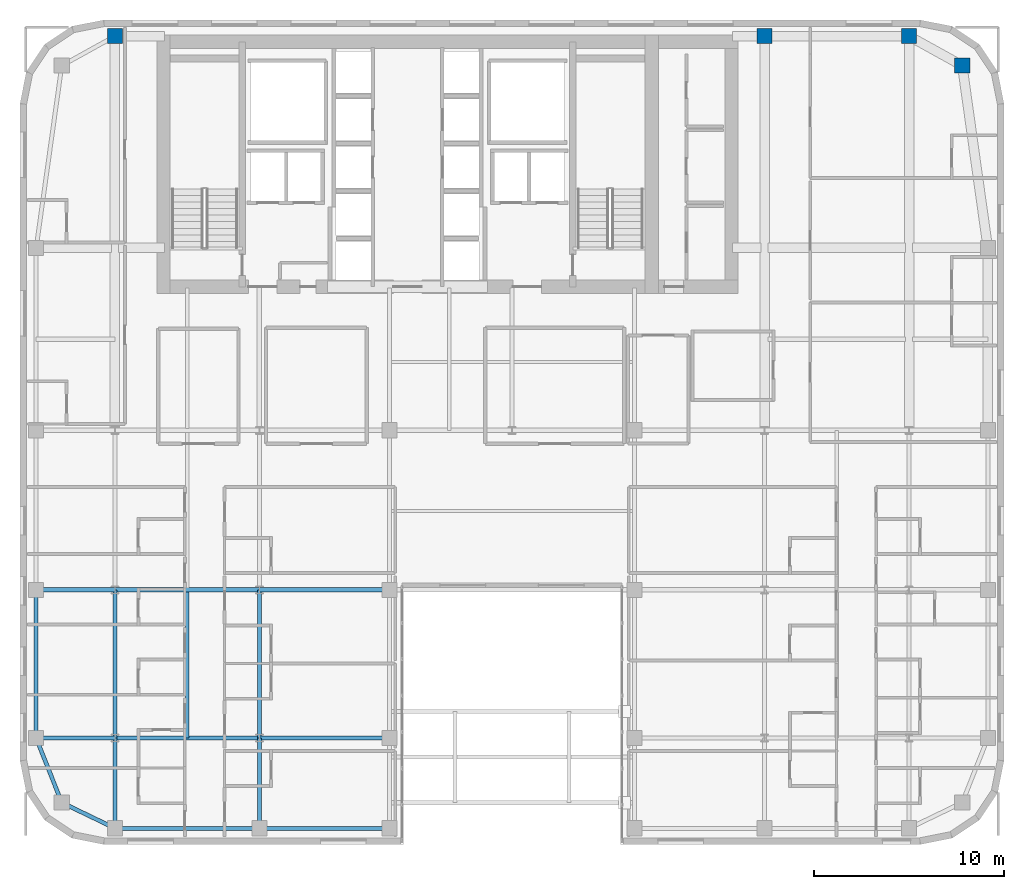
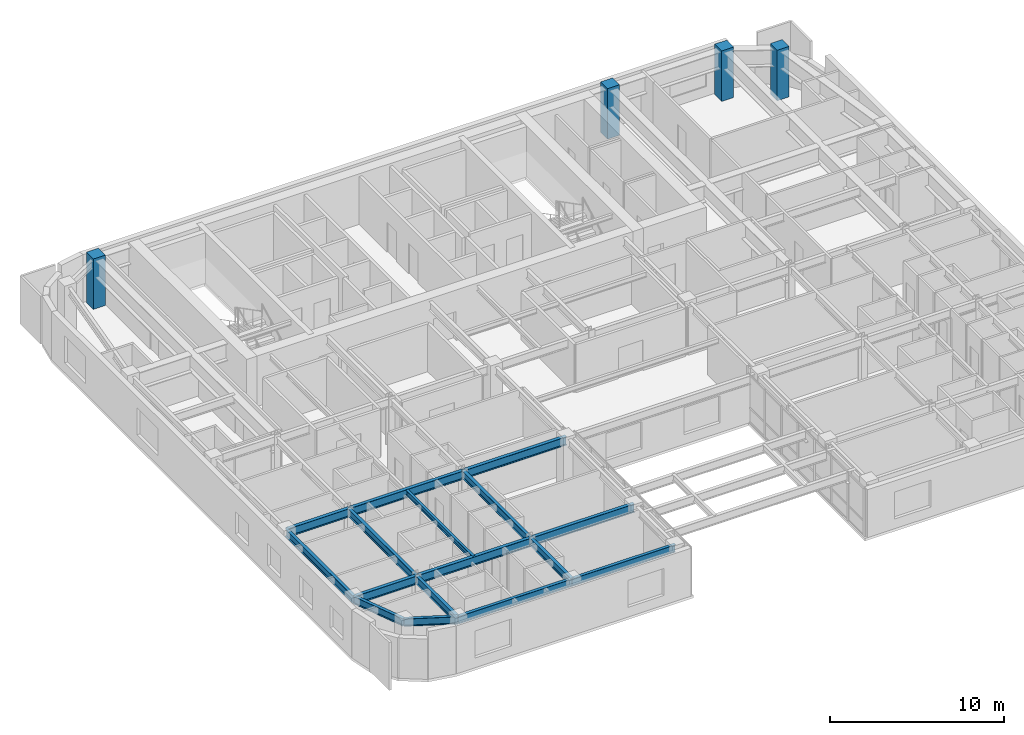
# One storey, part 2 of 15: 16 beams, 4 columns.
"""IFC4 building model written with IfcOpenShell, lengths in metres."""

from ifc_helpers import new_model, si_unit, direction, frame, origin, origin_2d, place, context, subcontext, project, spatial, rectangle, i_section, extrude, source, transform, mapped, material, material_profile, profile_set, type_object, type_shapes, element, save


model = new_model("IFC4")

# Units and contexts
model_context = context("Model", 3, precision=1e-05, world=origin(), true_north=direction((0.0, 1.0)))
body_context = subcontext(model_context, "Body", "Model", "MODEL_VIEW")
ifc_project = project(units=[si_unit("LENGTHUNIT", "METRE"), si_unit("AREAUNIT", "SQUARE_METRE"), si_unit("VOLUMEUNIT", "CUBIC_METRE"), si_unit("PLANEANGLEUNIT", "RADIAN"), si_unit("MASSUNIT", "GRAM", prefix="KILO")], contexts=[model_context])

# Site, building, storey
site_placement = place(None, origin())
site = spatial("IfcSite", under=ifc_project, at=site_placement, CompositionType="ELEMENT")
building_placement = place(site_placement, origin())
building = spatial("IfcBuilding", under=site, at=building_placement, Name="Tolvann Quenvar Hotel", CompositionType="ELEMENT")
storey_placement = place(building_placement, frame((0.0, 0.0, 164.800048828125)))
storey = spatial("IfcBuildingStorey", under=building, at=storey_placement, Name="L43", CompositionType="ELEMENT", Elevation=164.800048828125)

# Columns
ifc_material_1 = material(Name="Concrete N50 (50 MPa)", Category="concrete")
ifc_material_profile_1 = material_profile(ifc_material_1, rectangle(XDim=0.800048828125, YDim=0.800048828125, at=origin_2d()), Name="RC800x800")
ifc_profile_set_1 = profile_set([ifc_material_profile_1], Name="Concrete N50 (50 MPa)")
column_type = type_object("IfcColumnType", Name="COL_RC800", PredefinedType="COLUMN", material=ifc_profile_set_1)
shared_shape_1 = source(origin(), body_context, "Body", "SweptSolid", [
    extrude(rectangle(XDim=0.800048828125, YDim=0.800048828125, at=origin_2d()), origin(), (0.0, 0.0, 1.0), 3.550048828125),
])
type_shapes(column_type, [shared_shape_1])
for number, where, z_axis, x_axis, name in (
    (1, (7.60009765625, 45.14990234375, 0.0), (0.0, 0.0, 1.0), (1.0, 0.0, 0.0), "Column CN (L43)"),
    (2, (41.800048828125, 45.14990234375, 0.0), (0.0, 0.0, 1.0), (1.0, 0.0, 0.0), "Column HN (L43)"),
    (3, (49.39990234375, 45.14990234375, 0.0), (0.0, 0.0, 1.0), (1.0, 0.0, 0.0), "Column IN (L43)"),
    (4, (52.199951171875, 43.60009765625, 0.0), (0.0, 0.0, 1.0), (1.0, 0.0, 0.0), "Column JN (L43)"),
):
    element("IfcColumn", number, at=place(storey_placement, frame(where, z_axis=z_axis, x_axis=x_axis)), inside=storey, type_object=column_type, Name=name, PredefinedType="COLUMN", context=body_context, shape_type="MappedRepresentation", body=[
        mapped(shared_shape_1, transform((0.0, 0.0, 0.0), x_axis=(1.0, 0.0, 0.0), y_axis=(0.0, 1.0, 0.0), z_axis=(0.0, 0.0, 1.0), scale=1.0)),
    ])

# Beams
ifc_material_2 = material(Name="Steel Grade 350", Category="steel")
ifc_material_profile_2 = material_profile(ifc_material_2, i_section(OverallWidth=0.208984375, OverallDepth=0.528076171875, WebThickness=0.009521484375, FlangeThickness=0.01318359375, FilletRadius=0.013916015625, at=origin_2d()), Name="530UB82")
ifc_profile_set_2 = profile_set([ifc_material_profile_2], Name="Steel Grade 350")
beam_type_1 = type_object("IfcBeamType", Name="BM_SPAND_530UB82", PredefinedType="SPANDREL", material=ifc_profile_set_2)
shared_shape_2 = source(origin(), body_context, "Body", "SweptSolid", [
    extrude(i_section(OverallWidth=0.208984375, OverallDepth=0.528076171875, WebThickness=0.009521484375, FlangeThickness=0.01318359375, FilletRadius=0.013916015625, at=origin_2d()), origin(), (0.0, 0.0, 1.0), 7.599853515625),
])
beam_1_placement = place(storey_placement, frame((7.60009765625, 3.449951171875, 3.10595703125), z_axis=(1.0, 0.0, 0.0), x_axis=(0.0, 1.0, 0.0)))
element("IfcBeam", 5, at=beam_1_placement, inside=storey, type_object=beam_type_1, Name="BM-L43-EW-2-C2-D2", PredefinedType="SPANDREL", context=body_context, shape_type="MappedRepresentation", body=[
    mapped(shared_shape_2, transform((0.0, 0.0, 0.0), x_axis=(1.0, 0.0, 0.0), y_axis=(0.0, 1.0, 0.0), z_axis=(0.0, 0.0, 1.0), scale=1.0)),
])
shared_shape_3 = source(origin(), body_context, "Body", "SweptSolid", [
    extrude(i_section(OverallWidth=0.208984375, OverallDepth=0.528076171875, WebThickness=0.009521484375, FlangeThickness=0.01318359375, FilletRadius=0.013916015625, at=origin_2d()), origin(), (0.0, 0.0, 1.0), 6.85009765625),
])
beam_2_placement = place(storey_placement, frame((15.199951171875, 3.449951171875, 3.10595703125), z_axis=(1.0, 0.0, 0.0), x_axis=(0.0, 1.0, 0.0)))
element("IfcBeam", 6, at=beam_2_placement, inside=storey, type_object=beam_type_1, Name="BM-L43-EW-2-D2-E2", PredefinedType="SPANDREL", context=body_context, shape_type="MappedRepresentation", body=[
    mapped(shared_shape_3, transform((0.0, 0.0, 0.0), x_axis=(1.0, 0.0, 0.0), y_axis=(0.0, 1.0, 0.0), z_axis=(0.0, 0.0, 1.0), scale=1.0)),
])
shared_shape_4 = source(origin(), body_context, "Body", "SweptSolid", [
    extrude(i_section(OverallWidth=0.208984375, OverallDepth=0.528076171875, WebThickness=0.009521484375, FlangeThickness=0.01318359375, FilletRadius=0.013916015625, at=origin_2d()), origin(), (0.0, 0.0, 1.0), 7.800048828125),
])
beam_3_placement = place(storey_placement, frame((3.449951171875, 8.199951171875, 3.10595703125), z_axis=(0.0, 1.0, 0.0), x_axis=(-1.0, 0.0, 0.0)))
element("IfcBeam", 7, at=beam_3_placement, inside=storey, type_object=beam_type_1, Name="BM-L43-NS-B3-B4", PredefinedType="SPANDREL", context=body_context, shape_type="MappedRepresentation", body=[
    mapped(shared_shape_4, transform((0.0, 0.0, 0.0), x_axis=(1.0, 0.0, 0.0), y_axis=(0.0, 1.0, 0.0), z_axis=(0.0, 0.0, 1.0), scale=1.0)),
])
ifc_material_profile_3 = material_profile(ifc_material_2, i_section(OverallWidth=0.208984375, OverallDepth=0.532958984375, WebThickness=0.01025390625, FlangeThickness=0.015625, FilletRadius=0.013916015625, at=origin_2d()), Name="530UB92")
ifc_profile_set_3 = profile_set([ifc_material_profile_3], Name="Steel Grade 350")
beam_type_2 = type_object("IfcBeamType", Name="BM_GIRD_530UB92", PredefinedType="BEAM", material=ifc_profile_set_3)
shared_shape_5 = source(origin(), body_context, "Body", "SweptSolid", [
    extrude(i_section(OverallWidth=0.208984375, OverallDepth=0.532958984375, WebThickness=0.01025390625, FlangeThickness=0.015625, FilletRadius=0.013916015625, at=origin_2d()), origin(), (0.0, 0.0, 1.0), 7.800048828125),
])
for number, where, z_axis, x_axis, name in (
    (8, (7.60009765625, 8.199951171875, 3.103515625), (0.0, 1.0, 0.0), (-1.0, 0.0, 0.0), "BM-L43-NS-C3-C4"),
    (9, (15.199951171875, 8.199951171875, 3.103515625), (0.0, 1.0, 0.0), (-1.0, 0.0, 0.0), "BM-L43-NS-D3-D4"),
):
    element("IfcBeam", number, at=place(storey_placement, frame(where, z_axis=z_axis, x_axis=x_axis)), inside=storey, type_object=beam_type_2, Name=name, PredefinedType="BEAM", context=body_context, shape_type="MappedRepresentation", body=[
        mapped(shared_shape_5, transform((0.0, 0.0, 0.0), x_axis=(1.0, 0.0, 0.0), y_axis=(0.0, 1.0, 0.0), z_axis=(0.0, 0.0, 1.0), scale=1.0)),
    ])
shared_shape_6 = source(origin(), body_context, "Body", "SweptSolid", [
    extrude(i_section(OverallWidth=0.208984375, OverallDepth=0.528076171875, WebThickness=0.009521484375, FlangeThickness=0.01318359375, FilletRadius=0.013916015625, at=origin_2d()), origin(), (0.0, 0.0, 1.0), 3.108642578125),
])
beam_4_placement = place(storey_placement, frame((4.800048828125, 4.800048828125, 3.10595703125), z_axis=(0.900759354066, -0.434318530646, 0.0), x_axis=(0.434318530646, 0.900759354066, 0.0)))
element("IfcBeam", 10, at=beam_4_placement, inside=storey, type_object=beam_type_1, Name="BM-L43-EW-2-B2-C2", PredefinedType="SPANDREL", context=body_context, shape_type="MappedRepresentation", body=[
    mapped(shared_shape_6, transform((0.0, 0.0, 0.0), x_axis=(1.0, 0.0, 0.0), y_axis=(0.0, 1.0, 0.0), z_axis=(0.0, 0.0, 1.0), scale=1.0)),
])
ifc_material_profile_4 = material_profile(ifc_material_2, i_section(OverallWidth=0.22802734375, OverallDepth=0.60205078125, WebThickness=0.010498046875, FlangeThickness=0.014892578125, FilletRadius=0.013916015625, at=origin_2d()), Name="610UB101")
ifc_profile_set_4 = profile_set([ifc_material_profile_4], Name="Steel Grade 350")
beam_type_3 = type_object("IfcBeamType", Name="BM_GIRD_610UB101", PredefinedType="BEAM", material=ifc_profile_set_4)
shared_shape_7 = source(origin(), body_context, "Body", "SweptSolid", [
    extrude(i_section(OverallWidth=0.22802734375, OverallDepth=0.60205078125, WebThickness=0.010498046875, FlangeThickness=0.014892578125, FilletRadius=0.013916015625, at=origin_2d()), origin(), (0.0, 0.0, 1.0), 4.150146484375),
])
for number, where, z_axis, x_axis, name in (
    (11, (3.449951171875, 8.199951171875, 3.06884765625), (1.0, 0.0, 0.0), (0.0, 1.0, 0.0), "BM-L43-EW-3-B3-C3"),
    (12, (3.449951171875, 16.0, 3.06884765625), (1.0, 0.0, 0.0), (0.0, 1.0, 0.0), "BM-L43-EW-4-B4-C4"),
):
    element("IfcBeam", number, at=place(storey_placement, frame(where, z_axis=z_axis, x_axis=x_axis)), inside=storey, type_object=beam_type_3, Name=name, PredefinedType="BEAM", context=body_context, shape_type="MappedRepresentation", body=[
        mapped(shared_shape_7, transform((0.0, 0.0, 0.0), x_axis=(1.0, 0.0, 0.0), y_axis=(0.0, 1.0, 0.0), z_axis=(0.0, 0.0, 1.0), scale=1.0)),
    ])
shared_shape_8 = source(origin(), body_context, "Body", "SweptSolid", [
    extrude(i_section(OverallWidth=0.22802734375, OverallDepth=0.60205078125, WebThickness=0.010498046875, FlangeThickness=0.014892578125, FilletRadius=0.013916015625, at=origin_2d()), origin(), (0.0, 0.0, 1.0), 7.599853515625),
])
for number, where, z_axis, x_axis, name in (
    (13, (7.60009765625, 8.199951171875, 3.06884765625), (1.0, 0.0, 0.0), (0.0, 1.0, 0.0), "BM-L43-EW-3-C3-D3"),
    (14, (7.60009765625, 16.0, 3.06884765625), (1.0, 0.0, 0.0), (0.0, 1.0, 0.0), "BM-L43-EW-4-C4-D4"),
):
    element("IfcBeam", number, at=place(storey_placement, frame(where, z_axis=z_axis, x_axis=x_axis)), inside=storey, type_object=beam_type_3, Name=name, PredefinedType="BEAM", context=body_context, shape_type="MappedRepresentation", body=[
        mapped(shared_shape_8, transform((0.0, 0.0, 0.0), x_axis=(1.0, 0.0, 0.0), y_axis=(0.0, 1.0, 0.0), z_axis=(0.0, 0.0, 1.0), scale=1.0)),
    ])
shared_shape_9 = source(origin(), body_context, "Body", "SweptSolid", [
    extrude(i_section(OverallWidth=0.22802734375, OverallDepth=0.60205078125, WebThickness=0.010498046875, FlangeThickness=0.014892578125, FilletRadius=0.013916015625, at=origin_2d()), origin(), (0.0, 0.0, 1.0), 6.85009765625),
])
type_shapes(beam_type_3, [shared_shape_7, shared_shape_8, shared_shape_9])
for number, where, z_axis, x_axis, name in (
    (15, (15.199951171875, 8.199951171875, 3.06884765625), (1.0, 0.0, 0.0), (0.0, 1.0, 0.0), "BM-L43-EW-3-D3-E3"),
    (16, (15.199951171875, 16.0, 3.06884765625), (1.0, 0.0, 0.0), (0.0, 1.0, 0.0), "BM-L43-EW-4-D4-E4"),
):
    element("IfcBeam", number, at=place(storey_placement, frame(where, z_axis=z_axis, x_axis=x_axis)), inside=storey, type_object=beam_type_3, Name=name, PredefinedType="BEAM", context=body_context, shape_type="MappedRepresentation", body=[
        mapped(shared_shape_9, transform((0.0, 0.0, 0.0), x_axis=(1.0, 0.0, 0.0), y_axis=(0.0, 1.0, 0.0), z_axis=(0.0, 0.0, 1.0), scale=1.0)),
    ])
shared_shape_10 = source(origin(), body_context, "Body", "SweptSolid", [
    extrude(i_section(OverallWidth=0.208984375, OverallDepth=0.528076171875, WebThickness=0.009521484375, FlangeThickness=0.01318359375, FilletRadius=0.013916015625, at=origin_2d()), origin(), (0.0, 0.0, 1.0), 3.658203125),
])
type_shapes(beam_type_1, [shared_shape_2, shared_shape_3, shared_shape_4, shared_shape_6, shared_shape_10])
beam_5_placement = place(storey_placement, frame((4.800048828125, 4.800048828125, 3.10595703125), z_axis=(-0.369065163807, 0.929403521009, 0.0), x_axis=(-0.929403521009, -0.369065163807, 0.0)))
element("IfcBeam", 17, at=beam_5_placement, inside=storey, type_object=beam_type_1, Name="BM-L43-NS-B2-B3", PredefinedType="SPANDREL", context=body_context, shape_type="MappedRepresentation", body=[
    mapped(shared_shape_10, transform((0.0, 0.0, 0.0), x_axis=(1.0, 0.0, 0.0), y_axis=(0.0, 1.0, 0.0), z_axis=(0.0, 0.0, 1.0), scale=1.0)),
])
shared_shape_11 = source(origin(), body_context, "Body", "SweptSolid", [
    extrude(i_section(OverallWidth=0.208984375, OverallDepth=0.532958984375, WebThickness=0.01025390625, FlangeThickness=0.015625, FilletRadius=0.013916015625, at=origin_2d()), origin(), (0.0, 0.0, 1.0), 4.75),
])
type_shapes(beam_type_2, [shared_shape_5, shared_shape_11])
for number, where, z_axis, x_axis, name in (
    (18, (7.60009765625, 3.449951171875, 3.103515625), (0.0, 1.0, 0.0), (-1.0, 0.0, 0.0), "BM-L43-NS-C2-C3"),
    (19, (15.199951171875, 3.449951171875, 3.103515625), (0.0, 1.0, 0.0), (-1.0, 0.0, 0.0), "BM-L43-NS-D2-D3"),
):
    element("IfcBeam", number, at=place(storey_placement, frame(where, z_axis=z_axis, x_axis=x_axis)), inside=storey, type_object=beam_type_2, Name=name, PredefinedType="BEAM", context=body_context, shape_type="MappedRepresentation", body=[
        mapped(shared_shape_11, transform((0.0, 0.0, 0.0), x_axis=(1.0, 0.0, 0.0), y_axis=(0.0, 1.0, 0.0), z_axis=(0.0, 0.0, 1.0), scale=1.0)),
    ])
ifc_material_profile_5 = material_profile(ifc_material_2, i_section(OverallWidth=0.172119140625, OverallDepth=0.35888671875, WebThickness=0.008056640625, FlangeThickness=0.012939453125, FilletRadius=0.011474609375, at=origin_2d()), Name="360UB57")
ifc_profile_set_5 = profile_set([ifc_material_profile_5], Name="Steel Grade 350")
beam_type_4 = type_object("IfcBeamType", Name="BM_JOIST_360UB57", PredefinedType="JOIST", material=ifc_profile_set_5)
shared_shape_12 = source(origin(), body_context, "Body", "SweptSolid", [
    extrude(i_section(OverallWidth=0.172119140625, OverallDepth=0.35888671875, WebThickness=0.008056640625, FlangeThickness=0.012939453125, FilletRadius=0.011474609375, at=origin_2d()), origin(), (0.0, 0.0, 1.0), 7.692138671875),
])
type_shapes(beam_type_4, [shared_shape_12])
beam_6_placement = place(storey_placement, frame((11.39990234375, 8.199951171875, 3.1904296875), z_axis=(0.0, 1.0, 0.0), x_axis=(-1.0, 0.0, 0.0)))
element("IfcBeam", 20, at=beam_6_placement, inside=storey, type_object=beam_type_4, Name="BJ-L43-114-82", PredefinedType="JOIST", context=body_context, shape_type="MappedRepresentation", body=[
    mapped(shared_shape_12, transform((0.0, 0.0, 0.0), x_axis=(1.0, 0.0, 0.0), y_axis=(0.0, 1.0, 0.0), z_axis=(0.0, 0.0, 1.0), scale=1.0)),
])

save(model, "model.ifc")
